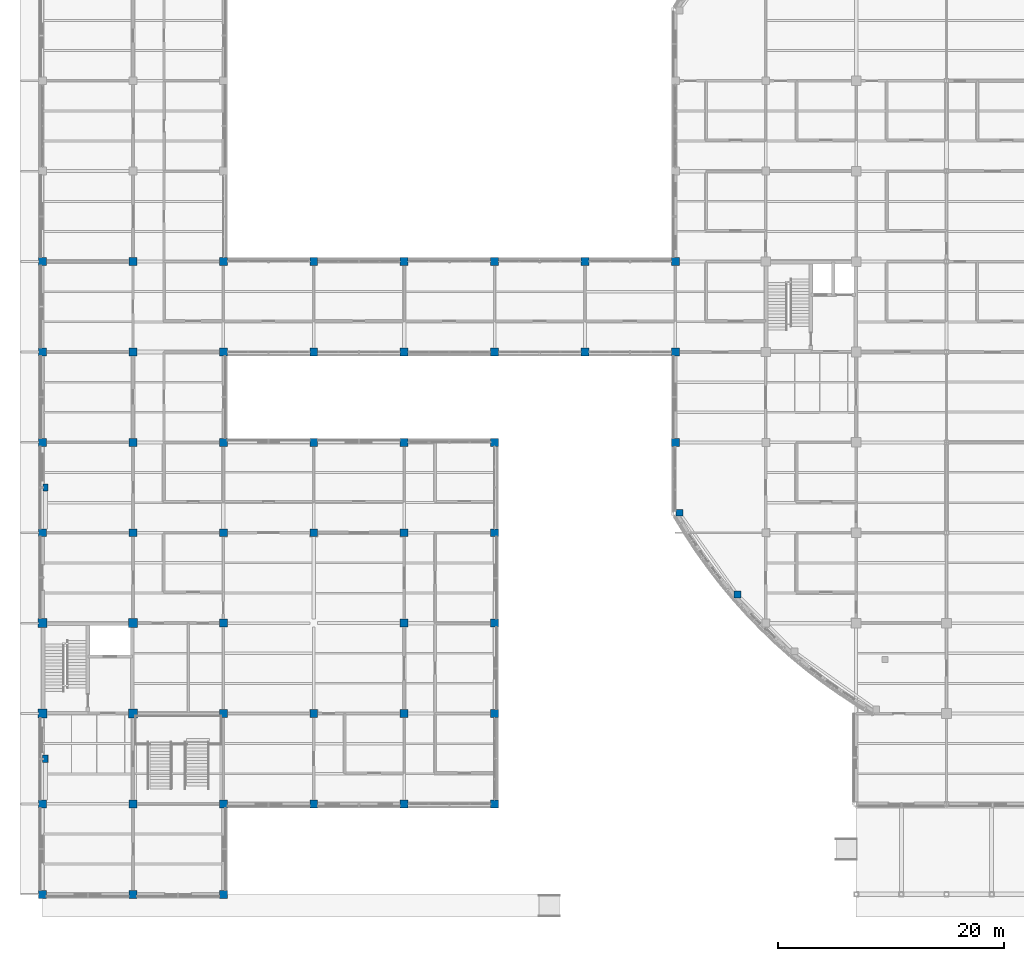
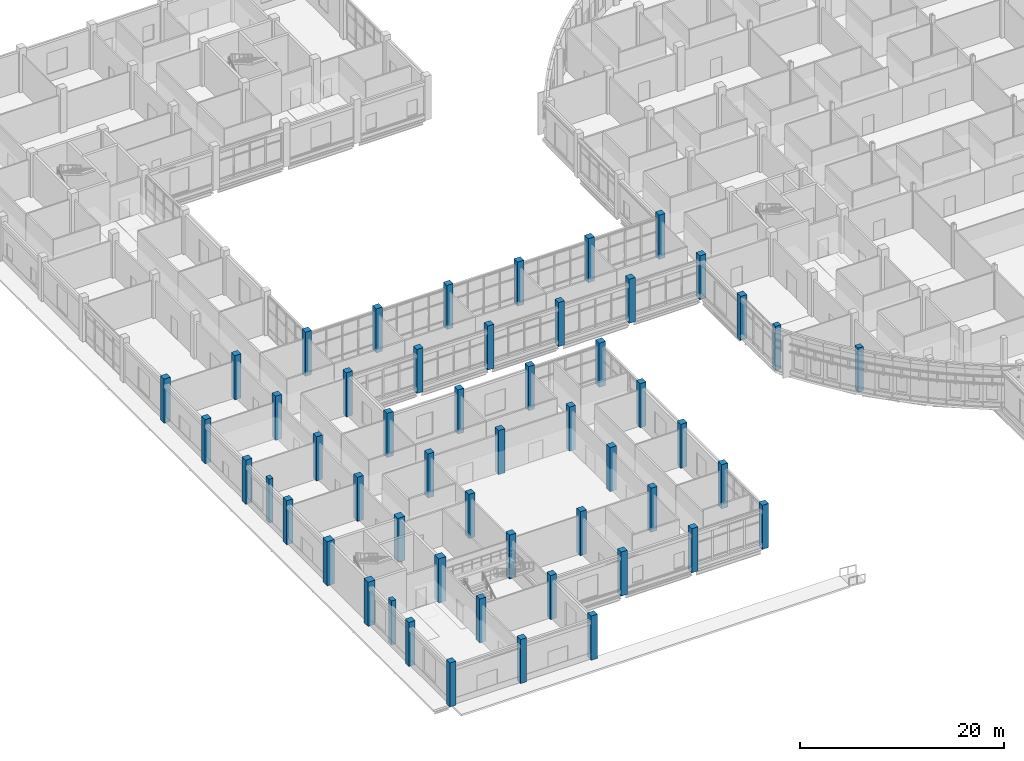
# One storey, part 1 of 105: 53 columns.
"""IFC4 building model written with IfcOpenShell, lengths in metres."""

from ifc_helpers import new_model, si_unit, derived_unit, direction, frame, origin, origin_2d, place, context, subcontext, project, spatial, rectangle, extrude, material, material_profile, profile_set, type_object, element, save


model = new_model("IFC4")

# Units and contexts
model_context = context("Model", 3, precision=1e-05, world=origin(), true_north=direction((0.0, 1.0)))
body_context = subcontext(model_context, "Body", "Model", "MODEL_VIEW")
ifc_project = project(units=[si_unit("LENGTHUNIT", "METRE"), si_unit("AREAUNIT", "SQUARE_METRE"), si_unit("VOLUMEUNIT", "CUBIC_METRE"), si_unit("PLANEANGLEUNIT", "RADIAN"), si_unit("MASSUNIT", "GRAM", prefix="KILO"), derived_unit("THERMALTRANSMITTANCEUNIT", [(si_unit("MASSUNIT", "GRAM", prefix="KILO"), 1), (si_unit("TIMEUNIT", "SECOND"), -3), (si_unit("THERMODYNAMICTEMPERATUREUNIT", "KELVIN"), -1)])], contexts=[model_context])

# Site, building, storey
site_placement = place(None, origin())
site = spatial("IfcSite", under=ifc_project, at=site_placement, CompositionType="ELEMENT")
building_placement = place(site_placement, origin())
building = spatial("IfcBuilding", under=site, at=building_placement, Name="Veyamyaing Civic Hall", CompositionType="ELEMENT")
storey_placement = place(building_placement, origin())
storey = spatial("IfcBuildingStorey", under=building, at=storey_placement, Name="L00", CompositionType="ELEMENT", Elevation=0.0)

# Columns
ifc_material = material(Name="Concrete C45/55", Category="concrete")
ifc_material_profile_1 = material_profile(ifc_material, rectangle(XDim=0.800048828125, YDim=0.800048828125, at=origin_2d()), Name="RC-COL-800X800")
ifc_profile_set_1 = profile_set([ifc_material_profile_1], Name="Concrete C45/55")
column_type_1 = type_object("IfcColumnType", Name="C-02", PredefinedType="COLUMN", material=ifc_profile_set_1)
for number, where, z_axis, x_axis, name in (
    (1, (0.0, 16.0, 0.0), (0.0, 0.0, 1.0), (1.0, 0.0, 0.0), "Column C-02 1-C L00"),
    (2, (0.0, 24.0, 0.0), (0.0, 0.0, 1.0), (1.0, 0.0, 0.0), "Column C-02 1-D L00"),
    (3, (8.0, 16.0, 0.0), (0.0, 0.0, 1.0), (1.0, 0.0, 0.0), "Column C-02 2-C L00"),
    (4, (8.0, 24.0, 0.0), (0.0, 0.0, 1.0), (1.0, 0.0, 0.0), "Column C-02 2-D L00"),
):
    element("IfcColumn", number, at=place(storey_placement, frame(where, z_axis=z_axis, x_axis=x_axis)), inside=storey, type_object=column_type_1, Name=name, PredefinedType="COLUMN", context=body_context, shape_type="SweptSolid", body=[
        extrude(rectangle(XDim=0.800048828125, YDim=0.800048828125, at=origin_2d()), origin(), (0.0, 0.0, 1.0), 5.280029296875),
    ])
ifc_material_profile_2 = material_profile(ifc_material, rectangle(XDim=0.699951171875, YDim=0.699951171875, at=origin_2d()), Name="RC-COL-700X700")
ifc_profile_set_2 = profile_set([ifc_material_profile_2], Name="Concrete C45/55")
column_type_2 = type_object("IfcColumnType", Name="C-04", PredefinedType="COLUMN", material=ifc_profile_set_2)
for number, where, z_axis, x_axis, name in (
    (5, (0.0, 0.0, 0.0), (0.0, 0.0, 1.0), (1.0, 0.0, 0.0), "Column C-04 1-A L00"),
    (6, (0.0, 8.0, 0.0), (0.0, 0.0, 1.0), (1.0, 0.0, 0.0), "Column C-04 1-B L00"),
    (7, (0.0, 32.0, 0.0), (0.0, 0.0, 1.0), (1.0, 0.0, 0.0), "Column C-04 1-E L00"),
    (8, (0.0, 40.0, 0.0), (0.0, 0.0, 1.0), (1.0, 0.0, 0.0), "Column C-04 1-F L00"),
    (9, (0.0, 48.0, 0.0), (0.0, 0.0, 1.0), (1.0, 0.0, 0.0), "Column C-04 1-G L00"),
    (10, (0.0, 56.0, 0.0), (0.0, 0.0, 1.0), (1.0, 0.0, 0.0), "Column C-04 1-H L00"),
    (11, (8.0, 0.0, 0.0), (0.0, 0.0, 1.0), (1.0, 0.0, 0.0), "Column C-04 2-A L00"),
    (12, (8.0, 8.0, 0.0), (0.0, 0.0, 1.0), (1.0, 0.0, 0.0), "Column C-04 2-B L00"),
    (13, (8.0, 32.0, 0.0), (0.0, 0.0, 1.0), (1.0, 0.0, 0.0), "Column C-04 2-E L00"),
    (14, (8.0, 40.0, 0.0), (0.0, 0.0, 1.0), (1.0, 0.0, 0.0), "Column C-04 2-F L00"),
    (15, (8.0, 48.0, 0.0), (0.0, 0.0, 1.0), (1.0, 0.0, 0.0), "Column C-04 2-G L00"),
    (16, (8.0, 56.0, 0.0), (0.0, 0.0, 1.0), (1.0, 0.0, 0.0), "Column C-04 2-H L00"),
    (17, (16.0, 0.0, 0.0), (0.0, 0.0, 1.0), (1.0, 0.0, 0.0), "Column C-04 3-A L00"),
    (18, (16.0, 8.0, 0.0), (0.0, 0.0, 1.0), (1.0, 0.0, 0.0), "Column C-04 3-B L00"),
    (19, (16.0, 16.0, 0.0), (0.0, 0.0, 1.0), (1.0, 0.0, 0.0), "Column C-04 3-C L00"),
    (20, (16.0, 24.0, 0.0), (0.0, 0.0, 1.0), (1.0, 0.0, 0.0), "Column C-04 3-D L00"),
    (21, (16.0, 32.0, 0.0), (0.0, 0.0, 1.0), (1.0, 0.0, 0.0), "Column C-04 3-E L00"),
    (22, (16.0, 40.0, 0.0), (0.0, 0.0, 1.0), (1.0, 0.0, 0.0), "Column C-04 3-F L00"),
    (23, (16.0, 48.0, 0.0), (0.0, 0.0, 1.0), (1.0, 0.0, 0.0), "Column C-04 3-G L00"),
    (24, (16.0, 56.0, 0.0), (0.0, 0.0, 1.0), (1.0, 0.0, 0.0), "Column C-04 3-H L00"),
    (25, (24.0, 8.0, 0.0), (0.0, 0.0, 1.0), (1.0, 0.0, 0.0), "Column C-04 4-B L00"),
    (26, (24.0, 16.0, 0.0), (0.0, 0.0, 1.0), (1.0, 0.0, 0.0), "Column C-04 4-C L00"),
    (27, (24.0, 32.0, 0.0), (0.0, 0.0, 1.0), (1.0, 0.0, 0.0), "Column C-04 4-E L00"),
    (28, (24.0, 40.0, 0.0), (0.0, 0.0, 1.0), (1.0, 0.0, 0.0), "Column C-04 4-F L00"),
    (29, (24.0, 48.0, 0.0), (0.0, 0.0, 1.0), (1.0, 0.0, 0.0), "Column C-04 4-G L00"),
    (30, (24.0, 56.0, 0.0), (0.0, 0.0, 1.0), (1.0, 0.0, 0.0), "Column C-04 4-H L00"),
    (31, (32.0, 8.0, 0.0), (0.0, 0.0, 1.0), (1.0, 0.0, 0.0), "Column C-04 5-B L00"),
    (32, (32.0, 16.0, 0.0), (0.0, 0.0, 1.0), (1.0, 0.0, 0.0), "Column C-04 5-C L00"),
    (33, (32.0, 24.0, 0.0), (0.0, 0.0, 1.0), (1.0, 0.0, 0.0), "Column C-04 5-D L00"),
    (34, (32.0, 32.0, 0.0), (0.0, 0.0, 1.0), (1.0, 0.0, 0.0), "Column C-04 5-E L00"),
    (35, (32.0, 40.0, 0.0), (0.0, 0.0, 1.0), (1.0, 0.0, 0.0), "Column C-04 5-F L00"),
    (36, (32.0, 48.0, 0.0), (0.0, 0.0, 1.0), (1.0, 0.0, 0.0), "Column C-04 5-G L00"),
    (37, (32.0, 56.0, 0.0), (0.0, 0.0, 1.0), (1.0, 0.0, 0.0), "Column C-04 5-H L00"),
    (38, (40.0, 8.0, 0.0), (0.0, 0.0, 1.0), (1.0, 0.0, 0.0), "Column C-04 6-B L00"),
    (39, (40.0, 16.0, 0.0), (0.0, 0.0, 1.0), (1.0, 0.0, 0.0), "Column C-04 6-C L00"),
    (40, (40.0, 24.0, 0.0), (0.0, 0.0, 1.0), (1.0, 0.0, 0.0), "Column C-04 6-D L00"),
    (41, (40.0, 32.0, 0.0), (0.0, 0.0, 1.0), (1.0, 0.0, 0.0), "Column C-04 6-E L00"),
    (42, (40.0, 40.0, 0.0), (0.0, 0.0, 1.0), (1.0, 0.0, 0.0), "Column C-04 6-F L00"),
    (43, (40.0, 48.0, 0.0), (0.0, 0.0, 1.0), (1.0, 0.0, 0.0), "Column C-04 6-G L00"),
    (44, (40.0, 56.0, 0.0), (0.0, 0.0, 1.0), (1.0, 0.0, 0.0), "Column C-04 6-H L00"),
    (45, (48.0, 48.0, 0.0), (0.0, 0.0, 1.0), (1.0, 0.0, 0.0), "Column C-04 7-G L00"),
    (46, (48.0, 56.0, 0.0), (0.0, 0.0, 1.0), (1.0, 0.0, 0.0), "Column C-04 7-H L00"),
    (47, (56.0, 40.0, 0.0), (0.0, 0.0, 1.0), (1.0, 0.0, 0.0), "Column C-04 8-F L00"),
    (48, (56.0, 48.0, 0.0), (0.0, 0.0, 1.0), (1.0, 0.0, 0.0), "Column C-04 8-G L00"),
    (49, (56.0, 56.0, 0.0), (0.0, 0.0, 1.0), (1.0, 0.0, 0.0), "Column C-04 8-H L00"),
):
    element("IfcColumn", number, at=place(storey_placement, frame(where, z_axis=z_axis, x_axis=x_axis)), inside=storey, type_object=column_type_2, Name=name, PredefinedType="COLUMN", context=body_context, shape_type="SweptSolid", body=[
        extrude(rectangle(XDim=0.699951171875, YDim=0.699951171875, at=origin_2d()), origin(), (0.0, 0.0, 1.0), 5.280029296875),
    ])
ifc_material_profile_3 = material_profile(ifc_material, rectangle(XDim=0.60009765625, YDim=0.60009765625, at=origin_2d()), Name="RC-COL-600X600")
ifc_profile_set_3 = profile_set([ifc_material_profile_3], Name="Concrete C45/55")
column_type_3 = type_object("IfcColumnType", Name="C-06", PredefinedType="COLUMN", material=ifc_profile_set_3)
for number, where, z_axis, x_axis, name in (
    (50, (56.36376953125, 33.779296875, 0.0), (0.0, 0.0, 1.0), (1.0, 0.0, 0.0), "Curved corner column C-06 ARC-SW-00 L00"),
    (51, (61.5048828125, 26.533447265625, 0.0), (0.0, 0.0, 1.0), (1.0, 0.0, 0.0), "Curved corner column C-06 ARC-SW-05 L00"),
):
    element("IfcColumn", number, at=place(storey_placement, frame(where, z_axis=z_axis, x_axis=x_axis)), inside=storey, type_object=column_type_3, Name=name, PredefinedType="COLUMN", context=body_context, shape_type="SweptSolid", body=[
        extrude(rectangle(XDim=0.60009765625, YDim=0.60009765625, at=origin_2d()), origin(), (0.0, 0.0, 1.0), 5.280029296875),
    ])
ifc_material_profile_4 = material_profile(ifc_material, rectangle(XDim=0.5, YDim=0.64990234375, at=origin_2d()), Name="RC-PIL-500X650")
ifc_profile_set_4 = profile_set([ifc_material_profile_4], Name="Concrete C45/55")
column_type_4 = type_object("IfcColumnType", Name="C-12", PredefinedType="PILASTER", material=ifc_profile_set_4)
column_1_placement = place(storey_placement, frame((0.25, 12.0, 0.0), z_axis=(0.0, 0.0, 1.0), x_axis=(1.0, 0.0, 0.0)))
element("IfcColumn", 52, at=column_1_placement, inside=storey, type_object=column_type_4, Name="Arcade pilaster C-12 PIL-W-01 L00", PredefinedType="PILASTER", context=body_context, shape_type="SweptSolid", body=[
    extrude(rectangle(XDim=0.5, YDim=0.64990234375, at=origin_2d()), origin(), (0.0, 0.0, 1.0), 5.280029296875),
])
ifc_material_profile_5 = material_profile(ifc_material, rectangle(XDim=0.449951171875, YDim=0.60009765625, at=origin_2d()), Name="RC-PIL-450X600")
ifc_profile_set_5 = profile_set([ifc_material_profile_5], Name="Concrete C45/55")
column_type_5 = type_object("IfcColumnType", Name="C-13", PredefinedType="PILASTER", material=ifc_profile_set_5)
column_2_placement = place(storey_placement, frame((0.25, 36.0, 0.0), z_axis=(0.0, 0.0, 1.0), x_axis=(1.0, 0.0, 0.0)))
element("IfcColumn", 53, at=column_2_placement, inside=storey, type_object=column_type_5, Name="Arcade pilaster C-13 PIL-W-04 L00", PredefinedType="PILASTER", context=body_context, shape_type="SweptSolid", body=[
    extrude(rectangle(XDim=0.449951171875, YDim=0.60009765625, at=origin_2d()), origin(), (0.0, 0.0, 1.0), 5.280029296875),
])

save(model, "model.ifc")
